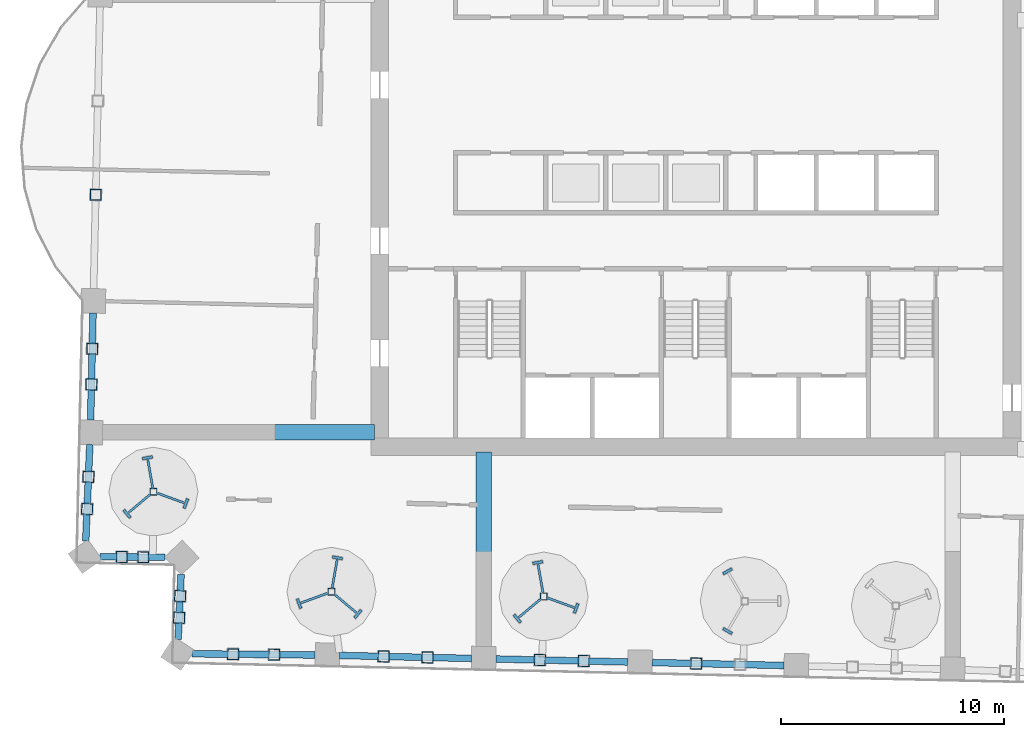
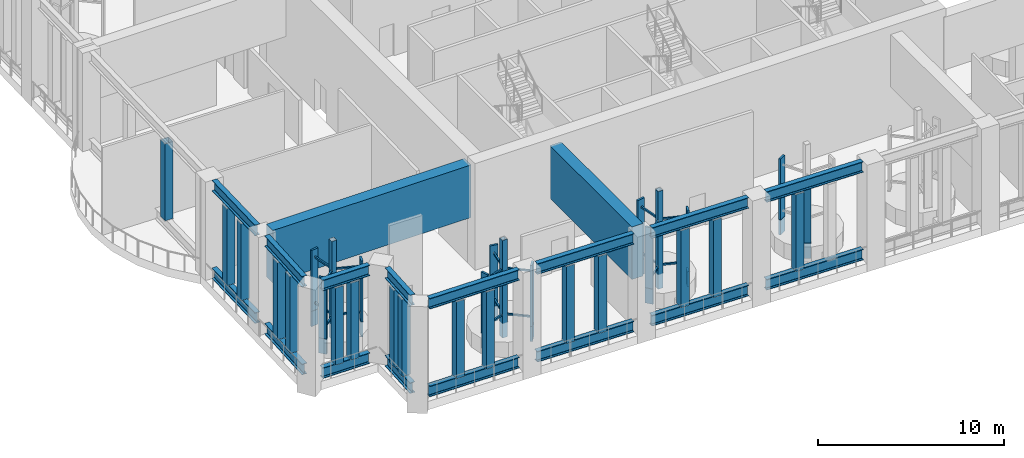
# One storey, part 2 of 33: 75 members, 2 beams.
"""IFC4 building model written with IfcOpenShell, lengths in metres."""

from ifc_helpers import new_model, si_unit, direction, frame, origin, origin_2d, place, context, subcontext, project, spatial, rectangle, hollow_rectangle, i_section, extrude, material, material_profile, profile_set, type_object, element, save


model = new_model("IFC4")

# Units and contexts
model_context = context("Model", 3, precision=1e-05, world=origin(), true_north=direction((0.0, 1.0)))
body_context = subcontext(model_context, "Body", "Model", "MODEL_VIEW")
ifc_project = project(units=[si_unit("LENGTHUNIT", "METRE"), si_unit("AREAUNIT", "SQUARE_METRE"), si_unit("VOLUMEUNIT", "CUBIC_METRE"), si_unit("PLANEANGLEUNIT", "RADIAN"), si_unit("MASSUNIT", "GRAM", prefix="KILO")], contexts=[model_context])

# Site, building, storey
site_placement = place(None, origin())
site = spatial("IfcSite", under=ifc_project, at=site_placement, CompositionType="ELEMENT")
building_placement = place(site_placement, origin())
building = spatial("IfcBuilding", under=site, at=building_placement, Name="Mangrove Gate Tower", CompositionType="ELEMENT")
storey_placement = place(building_placement, frame((0.0, 0.0, 219.5)))
storey = spatial("IfcBuildingStorey", under=building, at=storey_placement, Name="L56", CompositionType="ELEMENT", Elevation=219.5)

# Members
ifc_material_1 = material(Name="Steel S355J2", Category="steel")
ifc_material_profile_1 = material_profile(ifc_material_1, i_section(OverallWidth=0.300048828125, OverallDepth=0.699951171875, WebThickness=0.01708984375, FlangeThickness=0.031982421875, FilletRadius=0.027099609375, at=origin_2d()))
ifc_profile_set_1 = profile_set([ifc_material_profile_1], Name="Steel S355J2")
member_type_1 = type_object("IfcMemberType", Name="Belt truss chord HE 700 B", PredefinedType="CHORD", material=ifc_profile_set_1)
for number, where, z_axis, x_axis, name in (
    (1, (-27.08349609375, -5.19921875, 0.35009765625), (-0.022679913805, -0.999742777673, 0.0), (0.999742777673, -0.022679913805, 0.0), "Belt truss bottom chord L56 00"),
    (2, (-27.08349609375, -5.19921875, 6.10009765625), (-0.022679913805, -0.999742777673, 0.0), (0.999742777673, -0.022679913805, 0.0), "Belt truss top chord L56 00"),
):
    element("IfcMember", number, at=place(storey_placement, frame(where, z_axis=z_axis, x_axis=x_axis)), inside=storey, type_object=member_type_1, Name=name, PredefinedType="CHORD", context=body_context, shape_type="SweptSolid", body=[
        extrude(i_section(OverallWidth=0.300048828125, OverallDepth=0.699951171875, WebThickness=0.01708984375, FlangeThickness=0.031982421875, FilletRadius=0.027099609375, at=origin_2d()), origin(), (0.0, 0.0, 1.0), 4.811767578125),
    ])
for number, where, z_axis, x_axis, name in (
    (3, (-27.228515625, -11.109130859375, 0.35009765625), (-0.042253030375, -0.999106941936, 0.0), (0.999106941936, -0.042253030375, 0.0), "Belt truss bottom chord L56 01"),
    (4, (-27.228515625, -11.109130859375, 6.10009765625), (-0.042253030375, -0.999106941936, 0.0), (0.999106941936, -0.042253030375, 0.0), "Belt truss top chord L56 01"),
):
    element("IfcMember", number, at=place(storey_placement, frame(where, z_axis=z_axis, x_axis=x_axis)), inside=storey, type_object=member_type_1, Name=name, PredefinedType="CHORD", context=body_context, shape_type="SweptSolid", body=[
        extrude(i_section(OverallWidth=0.300048828125, OverallDepth=0.699951171875, WebThickness=0.01708984375, FlangeThickness=0.031982421875, FilletRadius=0.027099609375, at=origin_2d()), origin(), (0.0, 0.0, 1.0), 4.33935546875),
    ])
for number, where, z_axis, x_axis, name in (
    (5, (-26.762939453125, -16.145751953125, 0.35009765625), (0.999960996319, -0.008832091572, 0.0), (0.008832091572, 0.999960996319, 0.0), "Belt truss bottom chord L56 02"),
    (6, (-26.762939453125, -16.145751953125, 6.10009765625), (0.999960996319, -0.008832091572, 0.0), (0.008832091572, 0.999960996319, 0.0), "Belt truss top chord L56 02"),
):
    element("IfcMember", number, at=place(storey_placement, frame(where, z_axis=z_axis, x_axis=x_axis)), inside=storey, type_object=member_type_1, Name=name, PredefinedType="CHORD", context=body_context, shape_type="SweptSolid", body=[
        extrude(i_section(OverallWidth=0.300048828125, OverallDepth=0.699951171875, WebThickness=0.01708984375, FlangeThickness=0.031982421875, FilletRadius=0.027099609375, at=origin_2d()), origin(), (0.0, 0.0, 1.0), 2.90234375),
    ])
for number, where, z_axis, x_axis, name in (
    (7, (-23.127685546875, -16.938232421875, 0.35009765625), (-0.045187907282, -0.998978504792, 0.0), (0.998978504792, -0.045187907282, 0.0), "Belt truss bottom chord L56 03"),
    (8, (-23.127685546875, -16.938232421875, 6.10009765625), (-0.045187907282, -0.998978504792, 0.0), (0.998978504792, -0.045187907282, 0.0), "Belt truss top chord L56 03"),
):
    element("IfcMember", number, at=place(storey_placement, frame(where, z_axis=z_axis, x_axis=x_axis)), inside=storey, type_object=member_type_1, Name=name, PredefinedType="CHORD", context=body_context, shape_type="SweptSolid", body=[
        extrude(i_section(OverallWidth=0.300048828125, OverallDepth=0.699951171875, WebThickness=0.01708984375, FlangeThickness=0.031982421875, FilletRadius=0.027099609375, at=origin_2d()), origin(), (0.0, 0.0, 1.0), 2.9228515625),
    ])
for number, where, z_axis, x_axis, name in (
    (9, (-22.634521484375, -20.50439453125, 0.35009765625), (0.999948433136, -0.010155346828, 0.0), (0.010155346828, 0.999948433136, 0.0), "Belt truss bottom chord L56 04"),
    (10, (-22.634521484375, -20.50439453125, 6.10009765625), (0.999948433136, -0.010155346828, 0.0), (0.010155346828, 0.999948433136, 0.0), "Belt truss top chord L56 04"),
):
    element("IfcMember", number, at=place(storey_placement, frame(where, z_axis=z_axis, x_axis=x_axis)), inside=storey, type_object=member_type_1, Name=name, PredefinedType="CHORD", context=body_context, shape_type="SweptSolid", body=[
        extrude(i_section(OverallWidth=0.300048828125, OverallDepth=0.699951171875, WebThickness=0.01708984375, FlangeThickness=0.031982421875, FilletRadius=0.027099609375, at=origin_2d()), origin(), (0.0, 0.0, 1.0), 5.529296875),
    ])
for number, where, z_axis, x_axis, name in (
    (11, (-16.005615234375, -20.57861328125, 0.35009765625), (0.999740258675, -0.022790681963, 0.0), (0.022790681963, 0.999740258675, 0.0), "Belt truss bottom chord L56 05"),
    (12, (-16.005615234375, -20.57861328125, 6.10009765625), (0.999740258675, -0.022790681963, 0.0), (0.022790681963, 0.999740258675, 0.0), "Belt truss top chord L56 05"),
):
    element("IfcMember", number, at=place(storey_placement, frame(where, z_axis=z_axis, x_axis=x_axis)), inside=storey, type_object=member_type_1, Name=name, PredefinedType="CHORD", context=body_context, shape_type="SweptSolid", body=[
        extrude(i_section(OverallWidth=0.300048828125, OverallDepth=0.699951171875, WebThickness=0.01708984375, FlangeThickness=0.031982421875, FilletRadius=0.027099609375, at=origin_2d()), origin(), (0.0, 0.0, 1.0), 5.923828125),
    ])
for number, where, z_axis, x_axis, name in (
    (13, (-8.983642578125, -20.738525390625, 0.35009765625), (0.999743046941, -0.022668041218, 0.0), (0.022668041218, 0.999743046941, 0.0), "Belt truss bottom chord L56 06"),
    (14, (-8.983642578125, -20.738525390625, 6.10009765625), (0.999743046941, -0.022668041218, 0.0), (0.022668041218, 0.999743046941, 0.0), "Belt truss top chord L56 06"),
):
    element("IfcMember", number, at=place(storey_placement, frame(where, z_axis=z_axis, x_axis=x_axis)), inside=storey, type_object=member_type_1, Name=name, PredefinedType="CHORD", context=body_context, shape_type="SweptSolid", body=[
        extrude(i_section(OverallWidth=0.300048828125, OverallDepth=0.699951171875, WebThickness=0.01708984375, FlangeThickness=0.031982421875, FilletRadius=0.027099609375, at=origin_2d()), origin(), (0.0, 0.0, 1.0), 5.923583984375),
    ])
for number, where, z_axis, x_axis, name in (
    (15, (-1.961669921875, -20.897705078125, 0.35009765625), (0.999744001208, -0.022625915437, 0.0), (0.022625915437, 0.999744001208, 0.0), "Belt truss bottom chord L56 07"),
    (16, (-1.961669921875, -20.897705078125, 6.10009765625), (0.999744001208, -0.022625915437, 0.0), (0.022625915437, 0.999744001208, 0.0), "Belt truss top chord L56 07"),
):
    element("IfcMember", number, at=place(storey_placement, frame(where, z_axis=z_axis, x_axis=x_axis)), inside=storey, type_object=member_type_1, Name=name, PredefinedType="CHORD", context=body_context, shape_type="SweptSolid", body=[
        extrude(i_section(OverallWidth=0.300048828125, OverallDepth=0.699951171875, WebThickness=0.01708984375, FlangeThickness=0.031982421875, FilletRadius=0.027099609375, at=origin_2d()), origin(), (0.0, 0.0, 1.0), 5.923828125),
    ])
ifc_material_2 = material(Name="Steel S355J2H", Category="steel")
ifc_material_profile_2 = material_profile(ifc_material_2, hollow_rectangle(XDim=0.5, YDim=0.5, WallThickness=0.02001953125, at=origin_2d()))
ifc_profile_set_2 = profile_set([ifc_material_profile_2], Name="Steel S355J2H")
member_type_2 = type_object("IfcMemberType", Name="Belt truss post SHS 500x500x20", PredefinedType="POST", material=ifc_profile_set_2)
for number, where, z_axis, x_axis, name in (
    (17, (-27.119873046875, -6.802734375, 0.699951171875), (0.0, 0.0, 1.0), (-0.022667633873, -0.999743056177, 0.0), "Belt truss post L56 00-1"),
    (18, (-27.15625, -8.40625, 0.699951171875), (0.0, 0.0, 1.0), (-0.022667633873, -0.999743056177, 0.0), "Belt truss post L56 00-2"),
    (19, (-27.28955078125, -12.55419921875, 0.699951171875), (0.0, 0.0, 1.0), (-0.042301101829, -0.999104907797, 0.0), "Belt truss post L56 01-1"),
    (20, (-27.350830078125, -13.99951171875, 0.699951171875), (0.0, 0.0, 1.0), (-0.042301101829, -0.999104907797, 0.0), "Belt truss post L56 01-2"),
    (21, (-25.79541015625, -16.154296875, 0.699951171875), (0.0, 0.0, 1.0), (0.999961312321, -0.008796241273, 0.0), "Belt truss post L56 02-1"),
    (22, (-24.827880859375, -16.162841796875, 0.699951171875), (0.0, 0.0, 1.0), (0.999961312321, -0.008796241273, 0.0), "Belt truss post L56 02-2"),
    (23, (-23.171630859375, -17.91162109375, 0.699951171875), (0.0, 0.0, 1.0), (-0.045143598335, -0.998980508083, 0.0), "Belt truss post L56 03-1"),
    (24, (-23.215576171875, -18.884765625, 0.699951171875), (0.0, 0.0, 1.0), (-0.045143598335, -0.998980508083, 0.0), "Belt truss post L56 03-2"),
    (25, (-20.79150390625, -20.52294921875, 0.699951171875), (0.0, 0.0, 1.0), (0.999948224755, -0.010175844408, 0.0), "Belt truss post L56 04-1"),
    (26, (-18.948486328125, -20.541748046875, 0.699951171875), (0.0, 0.0, 1.0), (0.999948224755, -0.010175844408, 0.0), "Belt truss post L56 04-2"),
    (27, (-14.031494140625, -20.62353515625, 0.699951171875), (0.0, 0.0, 1.0), (0.999740510785, -0.02277962018, 0.0), "Belt truss post L56 05-1"),
    (28, (-12.057373046875, -20.668701171875, 0.699951171875), (0.0, 0.0, 1.0), (0.999740510785, -0.02277962018, 0.0), "Belt truss post L56 05-2"),
    (29, (-7.009521484375, -20.783203125, 0.699951171875), (0.0, 0.0, 1.0), (0.999743743313, -0.022637307834, 0.0), "Belt truss post L56 06-1"),
    (30, (-5.035400390625, -20.827880859375, 0.699951171875), (0.0, 0.0, 1.0), (0.999743743313, -0.022637307834, 0.0), "Belt truss post L56 06-2"),
    (31, (0.012451171875, -20.9423828125, 0.699951171875), (0.0, 0.0, 1.0), (0.999743742523, -0.022637342732, 0.0), "Belt truss post L56 07-1"),
    (32, (-26.962890625, 0.116455078125, 0.699951171875), (0.0, 0.0, 1.0), (-0.022688345603, -0.999742586356, 0.0), "Belt truss post L56 29-2"),
):
    element("IfcMember", number, at=place(storey_placement, frame(where, z_axis=z_axis, x_axis=x_axis)), inside=storey, type_object=member_type_2, Name=name, PredefinedType="POST", context=body_context, shape_type="SweptSolid", body=[
        extrude(hollow_rectangle(XDim=0.5, YDim=0.5, WallThickness=0.02001953125, at=origin_2d()), origin(), (0.0, 0.0, 1.0), 5.050048828125),
    ])

# Beams
ifc_material_3 = material(Name="Concrete C60/75", Category="concrete")
ifc_material_profile_3 = material_profile(ifc_material_3, rectangle(XDim=0.699951171875, YDim=3.449951171875, at=origin_2d()))
ifc_profile_set_3 = profile_set([ifc_material_profile_3], Name="Concrete C60/75")
beam_type = type_object("IfcBeamType", Name="Outrigger coupling beam RC 700x3450 C60/75", PredefinedType="BEAM", material=ifc_profile_set_3)
beam_1_placement = place(storey_placement, frame((-14.449951171875, -10.5595703125, 4.72509765625), z_axis=(-1.0, 0.0, 0.0), x_axis=(0.0, -1.0, 0.0)))
element("IfcBeam", 33, at=beam_1_placement, inside=storey, type_object=beam_type, Name="Outrigger coupling beam L56 OR6", PredefinedType="BEAM", context=body_context, shape_type="SweptSolid", body=[
    extrude(rectangle(XDim=0.699951171875, YDim=3.449951171875, at=origin_2d()), origin(), (0.0, 0.0, 1.0), 12.304931640625),
])
beam_2_placement = place(storey_placement, frame((-9.533447265625, -11.449951171875, 4.72509765625), z_axis=(0.0, -1.0, 0.0), x_axis=(1.0, 0.0, 0.0)))
element("IfcBeam", 34, at=beam_2_placement, inside=storey, type_object=beam_type, Name="Outrigger coupling beam L56 OR8", PredefinedType="BEAM", context=body_context, shape_type="SweptSolid", body=[
    extrude(rectangle(XDim=0.699951171875, YDim=3.449951171875, at=origin_2d()), origin(), (0.0, 0.0, 1.0), 8.825927734375),
])

# Members
ifc_material_4 = material(Name="Steel S355J2H", Category="steel")
ifc_material_profile_4 = material_profile(ifc_material_4, rectangle(XDim=0.449951171875, YDim=0.1201171875, at=origin_2d()))
ifc_profile_set_4 = profile_set([ifc_material_profile_4], Name="Steel S355J2H")
member_type_3 = type_object("IfcMemberType", Name="Turbine fin seat 450x120", PredefinedType="USERDEFINED", material=ifc_profile_set_4)
for number, where, z_axis, x_axis, name in (
    (35, (-16.10302734375, -16.194091796875, 0.0), (0.0, 0.0, 1.0), (-0.984807753012, 0.173648177667, 0.0), "TURBINE FIN SEAT L56 5.1"),
    (36, (-17.8291015625, -18.25, 0.0), (0.0, 0.0, 1.0), (0.342020143326, -0.939692620786, 0.0), "TURBINE FIN SEAT L56 5.2"),
    (37, (-15.18505859375, -18.716064453125, 0.0), (0.0, 0.0, 1.0), (0.642787609687, 0.766044443119, 0.0), "TURBINE FIN SEAT L56 5.3"),
    (38, (-7.10791015625, -16.405029296875, 0.0), (0.0, 0.0, 1.0), (-0.984807753012, -0.173648177667, 0.0), "TURBINE FIN SEAT L56 6.1"),
    (39, (-8.02587890625, -18.927001953125, 0.0), (0.0, 0.0, 1.0), (0.642787609687, -0.766044443119, 0.0), "TURBINE FIN SEAT L56 6.2"),
    (40, (-5.382080078125, -18.4609375, 0.0), (0.0, 0.0, 1.0), (0.342020143326, 0.939692620786, 0.0), "TURBINE FIN SEAT L56 6.3"),
    (41, (1.419921875, -16.799072265625, 0.0), (0.0, 0.0, 1.0), (-0.866025403784, -0.5, 0.0), "TURBINE FIN SEAT L56 7.2"),
    (42, (1.419921875, -19.48291015625, 0.0), (0.0, 0.0, 1.0), (0.866025403784, -0.5, 0.0), "TURBINE FIN SEAT L56 7.3"),
    (43, (-24.638916015625, -11.697998046875, 0.0), (0.0, 0.0, 1.0), (-0.984807753012, -0.173648177667, 0.0), "TURBINE FIN SEAT L56 12.1"),
    (44, (-25.556884765625, -14.219970703125, 0.0), (0.0, 0.0, 1.0), (0.642787609687, -0.766044443119, 0.0), "TURBINE FIN SEAT L56 12.2"),
    (45, (-22.9130859375, -13.75390625, 0.0), (0.0, 0.0, 1.0), (0.342020143326, 0.939692620786, 0.0), "TURBINE FIN SEAT L56 12.3"),
):
    element("IfcMember", number, at=place(storey_placement, frame(where, z_axis=z_axis, x_axis=x_axis)), inside=storey, type_object=member_type_3, Name=name, ObjectType="TURBINE FIN SEAT", PredefinedType="USERDEFINED", context=body_context, shape_type="SweptSolid", body=[
        extrude(rectangle(XDim=0.449951171875, YDim=0.1201171875, at=origin_2d()), origin(), (0.0, 0.0, 1.0), 1.0),
    ])
ifc_material_5 = material(Name="Steel S355J2H", Category="steel")
ifc_material_profile_5 = material_profile(ifc_material_5, hollow_rectangle(XDim=0.10009765625, YDim=0.10009765625, WallThickness=0.008056640625, at=origin_2d()))
ifc_profile_set_5 = profile_set([ifc_material_profile_5], Name="Steel S355J2H")
member_type_4 = type_object("IfcMemberType", Name="Turbine hub arm RHS 100x100x8", PredefinedType="STRUT", material=ifc_profile_set_5)
for number, where, z_axis, x_axis, name in (
    (46, (-16.342041015625, -17.552978515625, 1.5), (0.173084557887, 0.984906968105, 0.0), (-0.984906968105, 0.173084557887, 0.0), "TURBINE ARM L56 5.1.1"),
    (47, (-16.342041015625, -17.552978515625, 4.5), (0.173084557887, 0.984906968105, 0.0), (-0.984906968105, 0.173084557887, 0.0), "TURBINE ARM L56 5.1.2"),
):
    element("IfcMember", number, at=place(storey_placement, frame(where, z_axis=z_axis, x_axis=x_axis)), inside=storey, type_object=member_type_4, Name=name, PredefinedType="STRUT", context=body_context, shape_type="SweptSolid", body=[
        extrude(hollow_rectangle(XDim=0.10009765625, YDim=0.10009765625, WallThickness=0.008056640625, at=origin_2d()), origin(), (0.0, 0.0, 1.0), 1.311767578125),
    ])
for number, where, z_axis, x_axis, name in (
    (48, (-16.548095703125, -17.783935546875, 1.5), (-0.939633689692, -0.342182011796, 0.0), (0.342182011796, -0.939633689692, 0.0), "TURBINE ARM L56 5.2.1"),
    (49, (-16.548095703125, -17.783935546875, 4.5), (-0.939633689692, -0.342182011796, 0.0), (0.342182011796, -0.939633689692, 0.0), "TURBINE ARM L56 5.2.2"),
):
    element("IfcMember", number, at=place(storey_placement, frame(where, z_axis=z_axis, x_axis=x_axis)), inside=storey, type_object=member_type_4, Name=name, PredefinedType="STRUT", context=body_context, shape_type="SweptSolid", body=[
        extrude(hollow_rectangle(XDim=0.10009765625, YDim=0.10009765625, WallThickness=0.008056640625, at=origin_2d()), origin(), (0.0, 0.0, 1.0), 1.294921875),
    ])
for number, where, z_axis, x_axis, name in (
    (50, (-16.208984375, -17.85693359375, 1.5), (0.765803384004, -0.643074783402, 0.0), (0.643074783402, 0.765803384004, 0.0), "TURBINE ARM L56 5.3.1"),
    (51, (-16.208984375, -17.85693359375, 4.5), (0.765803384004, -0.643074783402, 0.0), (0.643074783402, 0.765803384004, 0.0), "TURBINE ARM L56 5.3.2"),
):
    element("IfcMember", number, at=place(storey_placement, frame(where, z_axis=z_axis, x_axis=x_axis)), inside=storey, type_object=member_type_4, Name=name, PredefinedType="STRUT", context=body_context, shape_type="SweptSolid", body=[
        extrude(hollow_rectangle(XDim=0.10009765625, YDim=0.10009765625, WallThickness=0.008056640625, at=origin_2d()), origin(), (0.0, 0.0, 1.0), 1.26904296875),
    ])
for number, where, z_axis, x_axis, name in (
    (52, (-6.868896484375, -17.763916015625, 1.5), (-0.173084557887, 0.984906968105, 0.0), (-0.984906968105, -0.173084557887, 0.0), "TURBINE ARM L56 6.1.1"),
    (53, (-6.868896484375, -17.763916015625, 4.5), (-0.173084557887, 0.984906968105, 0.0), (-0.984906968105, -0.173084557887, 0.0), "TURBINE ARM L56 6.1.2"),
):
    element("IfcMember", number, at=place(storey_placement, frame(where, z_axis=z_axis, x_axis=x_axis)), inside=storey, type_object=member_type_4, Name=name, PredefinedType="STRUT", context=body_context, shape_type="SweptSolid", body=[
        extrude(hollow_rectangle(XDim=0.10009765625, YDim=0.10009765625, WallThickness=0.008056640625, at=origin_2d()), origin(), (0.0, 0.0, 1.0), 1.311767578125),
    ])
for number, where, z_axis, x_axis, name in (
    (54, (-7.001953125, -18.068115234375, 1.5), (-0.765977636765, -0.642867217998, 0.0), (0.642867217998, -0.765977636765, 0.0), "TURBINE ARM L56 6.2.1"),
    (55, (-7.001953125, -18.068115234375, 4.5), (-0.765977636765, -0.642867217998, 0.0), (0.642867217998, -0.765977636765, 0.0), "TURBINE ARM L56 6.2.2"),
):
    element("IfcMember", number, at=place(storey_placement, frame(where, z_axis=z_axis, x_axis=x_axis)), inside=storey, type_object=member_type_4, Name=name, PredefinedType="STRUT", context=body_context, shape_type="SweptSolid", body=[
        extrude(hollow_rectangle(XDim=0.10009765625, YDim=0.10009765625, WallThickness=0.008056640625, at=origin_2d()), origin(), (0.0, 0.0, 1.0), 1.269287109375),
    ])
for number, where, z_axis, x_axis, name in (
    (56, (-6.6630859375, -17.9951171875, 1.5), (0.939716344909, -0.341954954797, 0.0), (0.341954954797, 0.939716344909, 0.0), "TURBINE ARM L56 6.3.1"),
    (57, (-6.6630859375, -17.9951171875, 4.5), (0.939716344909, -0.341954954797, 0.0), (0.341954954797, 0.939716344909, 0.0), "TURBINE ARM L56 6.3.2"),
):
    element("IfcMember", number, at=place(storey_placement, frame(where, z_axis=z_axis, x_axis=x_axis)), inside=storey, type_object=member_type_4, Name=name, PredefinedType="STRUT", context=body_context, shape_type="SweptSolid", body=[
        extrude(hollow_rectangle(XDim=0.10009765625, YDim=0.10009765625, WallThickness=0.008056640625, at=origin_2d()), origin(), (0.0, 0.0, 1.0), 1.295166015625),
    ])
for number, where, z_axis, x_axis, name in (
    (58, (-24.39990234375, -13.056884765625, 1.5), (-0.173084557887, 0.984906968105, 0.0), (-0.984906968105, -0.173084557887, 0.0), "TURBINE ARM L56 12.1.1"),
    (59, (-24.39990234375, -13.056884765625, 4.5), (-0.173084557887, 0.984906968105, 0.0), (-0.984906968105, -0.173084557887, 0.0), "TURBINE ARM L56 12.1.2"),
):
    element("IfcMember", number, at=place(storey_placement, frame(where, z_axis=z_axis, x_axis=x_axis)), inside=storey, type_object=member_type_4, Name=name, PredefinedType="STRUT", context=body_context, shape_type="SweptSolid", body=[
        extrude(hollow_rectangle(XDim=0.10009765625, YDim=0.10009765625, WallThickness=0.008056640625, at=origin_2d()), origin(), (0.0, 0.0, 1.0), 1.311767578125),
    ])
for number, where, z_axis, x_axis, name in (
    (60, (-24.532958984375, -13.361083984375, 1.5), (-0.765898120973, -0.642961949333, 0.0), (0.642961949333, -0.765898120973, 0.0), "TURBINE ARM L56 12.2.1"),
    (61, (-24.532958984375, -13.361083984375, 4.5), (-0.765898120973, -0.642961949333, 0.0), (0.642961949333, -0.765898120973, 0.0), "TURBINE ARM L56 12.2.2"),
):
    element("IfcMember", number, at=place(storey_placement, frame(where, z_axis=z_axis, x_axis=x_axis)), inside=storey, type_object=member_type_4, Name=name, PredefinedType="STRUT", context=body_context, shape_type="SweptSolid", body=[
        extrude(hollow_rectangle(XDim=0.10009765625, YDim=0.10009765625, WallThickness=0.008056640625, at=origin_2d()), origin(), (0.0, 0.0, 1.0), 1.26904296875),
    ])
for number, where, z_axis, x_axis, name in (
    (62, (-24.194091796875, -13.2880859375, 1.5), (0.939716344909, -0.341954954797, 0.0), (0.341954954797, 0.939716344909, 0.0), "TURBINE ARM L56 12.3.1"),
    (63, (-24.194091796875, -13.2880859375, 4.5), (0.939716344909, -0.341954954797, 0.0), (0.341954954797, 0.939716344909, 0.0), "TURBINE ARM L56 12.3.2"),
):
    element("IfcMember", number, at=place(storey_placement, frame(where, z_axis=z_axis, x_axis=x_axis)), inside=storey, type_object=member_type_4, Name=name, PredefinedType="STRUT", context=body_context, shape_type="SweptSolid", body=[
        extrude(hollow_rectangle(XDim=0.10009765625, YDim=0.10009765625, WallThickness=0.008056640625, at=origin_2d()), origin(), (0.0, 0.0, 1.0), 1.295166015625),
    ])
ifc_material_6 = material(Name="Steel S355J2H", Category="steel")
ifc_material_profile_6 = material_profile(ifc_material_6, hollow_rectangle(XDim=0.300048828125, YDim=0.300048828125, WallThickness=0.011962890625, at=origin_2d()))
ifc_profile_set_6 = profile_set([ifc_material_profile_6], Name="Steel S355J2H")
member_type_5 = type_object("IfcMemberType", Name="Turbine mast RHS 300x300x12", PredefinedType="USERDEFINED", material=ifc_profile_set_6)
for number, where, z_axis, x_axis, name in (
    (64, (-16.3720703125, -17.719970703125, 0.02001953125), (0.0, 0.0, 1.0), (1.0, 0.0, 0.0), "TURBINE MAST L56 5"),
    (65, (-6.839111328125, -17.930908203125, 0.02001953125), (0.0, 0.0, 1.0), (1.0, 0.0, 0.0), "TURBINE MAST L56 6"),
    (66, (-24.3701171875, -13.22412109375, 0.02001953125), (0.0, 0.0, 1.0), (1.0, 0.0, 0.0), "TURBINE MAST L56 12"),
):
    element("IfcMember", number, at=place(storey_placement, frame(where, z_axis=z_axis, x_axis=x_axis)), inside=storey, type_object=member_type_5, Name=name, ObjectType="TURBINE MAST", PredefinedType="USERDEFINED", context=body_context, shape_type="SweptSolid", body=[
        extrude(hollow_rectangle(XDim=0.300048828125, YDim=0.300048828125, WallThickness=0.011962890625, at=origin_2d()), origin(), (0.0, 0.0, 1.0), 6.409912109375),
    ])
ifc_material_7 = material(Name="Aluminium alloy 6063-T6", Category="aluminium")
ifc_material_profile_7 = material_profile(ifc_material_7, rectangle(XDim=0.449951171875, YDim=0.1201171875, at=origin_2d()))
ifc_profile_set_7 = profile_set([ifc_material_profile_7], Name="Aluminium alloy 6063-T6")
member_type_6 = type_object("IfcMemberType", Name="Turbine rotor fin 450x120", PredefinedType="PLATE", material=ifc_profile_set_7)
for number, where, z_axis, x_axis, name in (
    (67, (-16.10302734375, -16.194091796875, 1.0), (0.0, 0.0, 1.0), (-0.984807753012, 0.173648177667, 0.0), "TURBINE FIN L56 5.1"),
    (68, (-17.8291015625, -18.25, 1.0), (0.0, 0.0, 1.0), (0.342020143326, -0.939692620786, 0.0), "TURBINE FIN L56 5.2"),
    (69, (-15.18505859375, -18.716064453125, 1.0), (0.0, 0.0, 1.0), (0.642787609687, 0.766044443119, 0.0), "TURBINE FIN L56 5.3"),
    (70, (-7.10791015625, -16.405029296875, 1.0), (0.0, 0.0, 1.0), (-0.984807753012, -0.173648177667, 0.0), "TURBINE FIN L56 6.1"),
    (71, (-8.02587890625, -18.927001953125, 1.0), (0.0, 0.0, 1.0), (0.642787609687, -0.766044443119, 0.0), "TURBINE FIN L56 6.2"),
    (72, (-5.382080078125, -18.4609375, 1.0), (0.0, 0.0, 1.0), (0.342020143326, 0.939692620786, 0.0), "TURBINE FIN L56 6.3"),
    (73, (1.419921875, -16.799072265625, 1.0), (0.0, 0.0, 1.0), (-0.866025403784, -0.5, 0.0), "TURBINE FIN L56 7.2"),
    (74, (1.419921875, -19.48291015625, 1.0), (0.0, 0.0, 1.0), (0.866025403784, -0.5, 0.0), "TURBINE FIN L56 7.3"),
    (75, (-24.638916015625, -11.697998046875, 1.0), (0.0, 0.0, 1.0), (-0.984807753012, -0.173648177667, 0.0), "TURBINE FIN L56 12.1"),
    (76, (-25.556884765625, -14.219970703125, 1.0), (0.0, 0.0, 1.0), (0.642787609687, -0.766044443119, 0.0), "TURBINE FIN L56 12.2"),
    (77, (-22.9130859375, -13.75390625, 1.0), (0.0, 0.0, 1.0), (0.342020143326, 0.939692620786, 0.0), "TURBINE FIN L56 12.3"),
):
    element("IfcMember", number, at=place(storey_placement, frame(where, z_axis=z_axis, x_axis=x_axis)), inside=storey, type_object=member_type_6, Name=name, PredefinedType="PLATE", context=body_context, shape_type="SweptSolid", body=[
        extrude(rectangle(XDim=0.449951171875, YDim=0.1201171875, at=origin_2d()), origin(), (0.0, 0.0, 1.0), 4.0),
    ])

save(model, "model.ifc")
